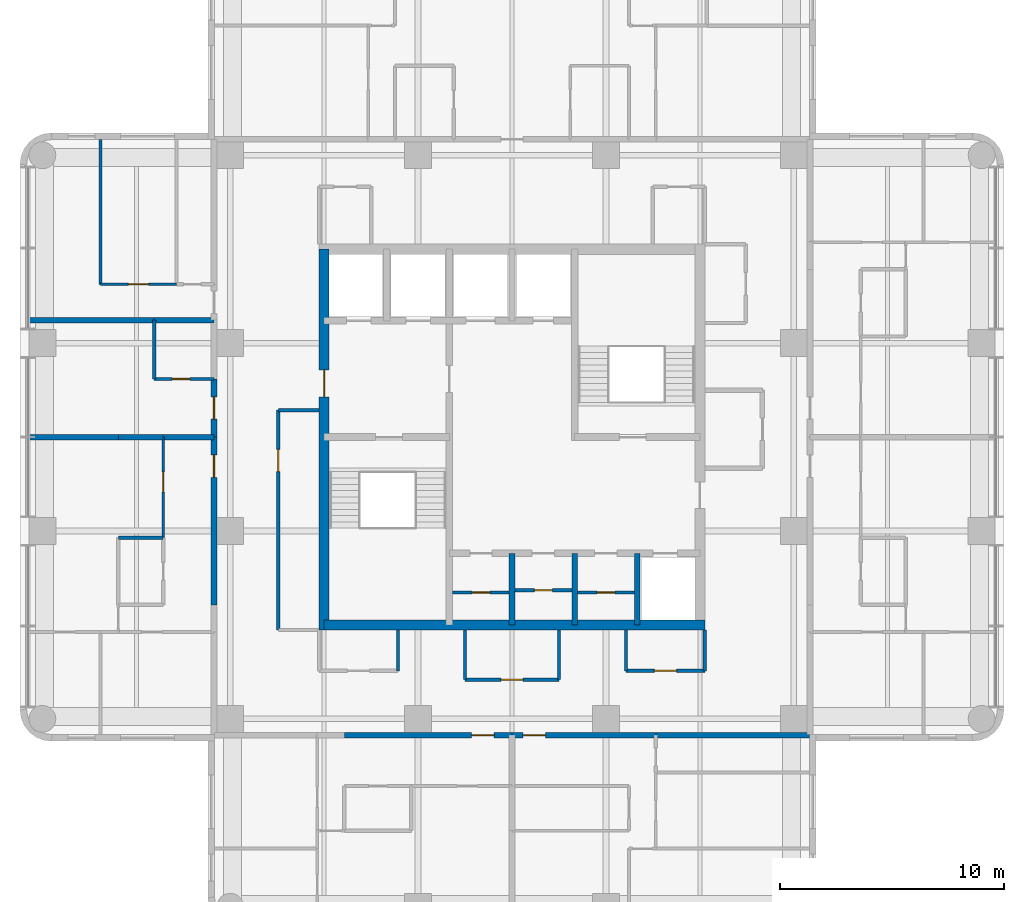
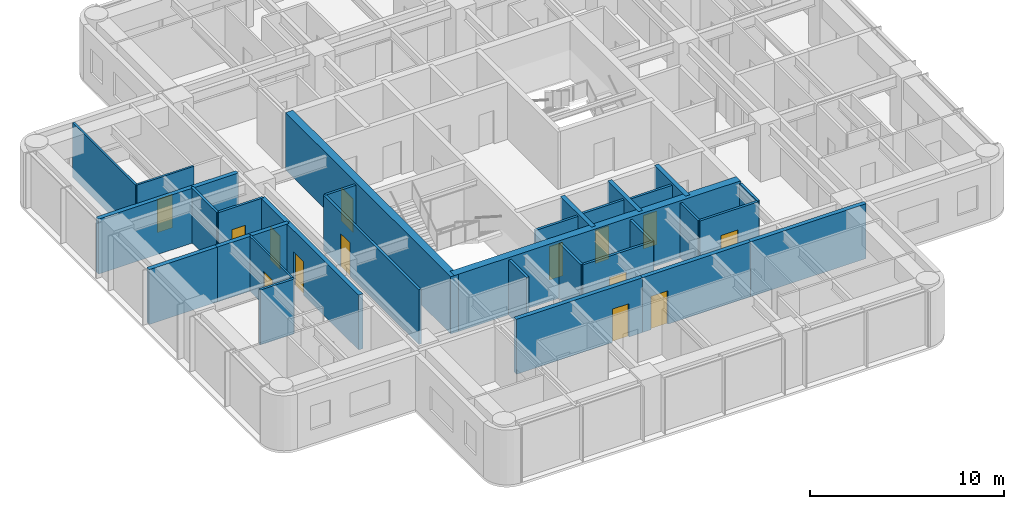
# One storey, part 5 of 10: 33 walls, 14 doors, 14 openings.
"""IFC4 building model written with IfcOpenShell, lengths in metres."""

from ifc_helpers import new_model, si_unit, direction, frame, frame_2d, origin, place, context, subcontext, project, spatial, rectangle, extrude, material, layer, layer_set, type_object, element, fill, save


model = new_model("IFC4")

# Units and contexts
model_context = context("Model", 3, precision=1e-05, world=origin(), true_north=direction((0.0, 1.0)))
body_context = subcontext(model_context, "Body", "Model", "MODEL_VIEW")
ifc_project = project(units=[si_unit("LENGTHUNIT", "METRE"), si_unit("AREAUNIT", "SQUARE_METRE"), si_unit("VOLUMEUNIT", "CUBIC_METRE"), si_unit("PLANEANGLEUNIT", "RADIAN"), si_unit("MASSUNIT", "GRAM", prefix="KILO")], contexts=[model_context])

# Site, building, storey
site_placement = place(None, origin())
site = spatial("IfcSite", under=ifc_project, at=site_placement, CompositionType="ELEMENT")
building_placement = place(site_placement, origin())
building = spatial("IfcBuilding", under=site, at=building_placement, Name="Torre Alcanfor", CompositionType="ELEMENT")
storey_placement = place(building_placement, frame((0.0, 0.0, 290.10009765625)))
storey = spatial("IfcBuildingStorey", under=building, at=storey_placement, Name="L76", CompositionType="ELEMENT", Elevation=290.10009765625)

# Wall, opening, door
ifc_material_1 = material(Name="Concrete block masonry, hollow blocks NMX-C-404 9 MPa", Category="masonry")
ifc_layer_1 = layer(ifc_material_1, 0.25)
ifc_layer_set_1 = layer_set([ifc_layer_1], Name="Apartment entrance wall 250 EI 60")
wall_type_1 = type_object("IfcWallType", Name="Apartment entrance wall 250 EI 60", PredefinedType="PARTITIONING", material=ifc_layer_set_1)
wall_1_placement = place(storey_placement, frame((35.8291015625, 16.074951171875, 0.0), z_axis=(0.0, 0.0, 1.0), x_axis=(-1.0, 0.0, 0.0)))
wall_1 = element("IfcWall", 1, at=wall_1_placement, inside=storey, type_object=wall_type_1, Name="Partition L76-CORR / L76-S1-LIVING", PredefinedType="PARTITIONING", context=body_context, shape_type="SweptSolid", body=[
    extrude(rectangle(XDim=6.42919921875, YDim=0.25, at=frame_2d((3.214599609375, 0.0))), origin(), (0.0, 0.0, 1.0), 3.449951171875),
])
opening_1_placement = place(wall_1_placement, frame((4.928955078125, 0.0, 0.0)))
opening_1 = element("IfcOpeningElement", 2, at=opening_1_placement, cuts=wall_1, Name="Opening D-A1", PredefinedType="OPENING", context=body_context, shape_type="SweptSolid", body=[
    extrude(rectangle(XDim=1.0, YDim=2.10009765625, at=frame_2d((0.5, 1.050048828125))), frame((0.0, 0.135009765625, 0.0), z_axis=(0.0, -1.0, 0.0), x_axis=(1.0, 0.0, 0.0)), (0.0, 0.0, 1.0), 0.27001953125),
])
ifc_material_2 = material(Name="Galvanised steel sheet ASTM A653", Category="steel")
door_type_1 = type_object("IfcDoorType", Name="Apartment entrance door FD60 1000x2100", OperationType="SINGLE_SWING_LEFT", PredefinedType="DOOR", material=ifc_material_2)
door_1_placement = place(opening_1_placement, origin())
door_1 = element("IfcDoor", 3, at=door_1_placement, inside=storey, type_object=door_type_1, Name="Apartment entrance L76-S1", OperationType="SINGLE_SWING_RIGHT", OverallHeight=2.10009765625, OverallWidth=1.0, PredefinedType="DOOR", context=body_context, shape_type="SweptSolid", body=[
    extrude(rectangle(XDim=1.0, YDim=2.10009765625, at=frame_2d((0.5, 1.050048828125))), frame((0.0, 0.02490234375, 0.0), z_axis=(0.0, -1.0, 0.0), x_axis=(1.0, 0.0, 0.0)), (0.0, 0.0, 1.0), 0.050048828125),
])
fill(opening_1, door_1)

# Wall
wall_2_placement = place(storey_placement, frame((42.699951171875, 16.074951171875, 0.0), z_axis=(0.0, 0.0, 1.0), x_axis=(-1.0, 0.0, 0.0)))
element("IfcWall", 4, at=wall_2_placement, inside=storey, type_object=wall_type_1, Name="Partition L76-CORR / L76-S1-BATH", PredefinedType="PARTITIONING", context=body_context, shape_type="SweptSolid", body=[
    extrude(rectangle(XDim=6.870849609375, YDim=0.25, at=frame_2d((3.435546875, 0.0))), origin(), (0.0, 0.0, 1.0), 3.449951171875),
])

# Wall, opening, door
wall_3_placement = place(storey_placement, frame((29.39990234375, 16.074951171875, 0.0), z_axis=(0.0, 0.0, 1.0), x_axis=(-1.0, 0.0, 0.0)))
wall_3 = element("IfcWall", 5, at=wall_3_placement, inside=storey, type_object=wall_type_1, Name="Partition L76-CORR / L76-S2-ZAG", PredefinedType="PARTITIONING", context=body_context, shape_type="SweptSolid", body=[
    extrude(rectangle(XDim=7.5, YDim=0.25, at=frame_2d((3.75, 0.0))), origin(), (0.0, 0.0, 1.0), 3.449951171875),
])
opening_2_placement = place(wall_3_placement, frame((0.800048828125, 0.0, 0.0)))
opening_2 = element("IfcOpeningElement", 6, at=opening_2_placement, cuts=wall_3, Name="Opening D-A1", PredefinedType="OPENING", context=body_context, shape_type="SweptSolid", body=[
    extrude(rectangle(XDim=1.0, YDim=2.10009765625, at=frame_2d((0.5, 1.050048828125))), frame((0.0, 0.135009765625, 0.0), z_axis=(0.0, -1.0, 0.0), x_axis=(1.0, 0.0, 0.0)), (0.0, 0.0, 1.0), 0.27001953125),
])
door_2_placement = place(opening_2_placement, origin())
door_2 = element("IfcDoor", 7, at=door_2_placement, inside=storey, type_object=door_type_1, Name="Apartment entrance L76-S2", OperationType="SINGLE_SWING_LEFT", OverallHeight=2.10009765625, OverallWidth=1.0, PredefinedType="DOOR", context=body_context, shape_type="SweptSolid", body=[
    extrude(rectangle(XDim=1.0, YDim=2.10009765625, at=frame_2d((0.5, 1.050048828125))), frame((0.0, 0.02490234375, 0.0), z_axis=(0.0, -1.0, 0.0), x_axis=(1.0, 0.0, 0.0)), (0.0, 0.0, 1.0), 0.050048828125),
])
fill(opening_2, door_2)

wall_4_placement = place(storey_placement, frame((16.074951171875, 21.89990234375, 0.0), z_axis=(0.0, 0.0, 1.0), x_axis=(0.0, 1.0, 0.0)))
wall_4 = element("IfcWall", 8, at=wall_4_placement, inside=storey, type_object=wall_type_1, Name="Partition L76-CORR / L76-W1-ZAG", PredefinedType="PARTITIONING", context=body_context, shape_type="SweptSolid", body=[
    extrude(rectangle(XDim=7.5, YDim=0.25, at=frame_2d((3.75, 0.0))), origin(), (0.0, 0.0, 1.0), 3.449951171875),
])
opening_3_placement = place(wall_4_placement, frame((5.699951171875, 0.0, 0.0)))
opening_3 = element("IfcOpeningElement", 9, at=opening_3_placement, cuts=wall_4, Name="Opening D-A1", PredefinedType="OPENING", context=body_context, shape_type="SweptSolid", body=[
    extrude(rectangle(XDim=1.0, YDim=2.10009765625, at=frame_2d((0.5, 1.050048828125))), frame((0.0, 0.135009765625, 0.0), z_axis=(0.0, -1.0, 0.0), x_axis=(1.0, 0.0, 0.0)), (0.0, 0.0, 1.0), 0.27001953125),
])
door_3_placement = place(opening_3_placement, origin())
door_3 = element("IfcDoor", 10, at=door_3_placement, inside=storey, type_object=door_type_1, Name="Apartment entrance L76-W1", OperationType="SINGLE_SWING_RIGHT", OverallHeight=2.10009765625, OverallWidth=1.0, PredefinedType="DOOR", context=body_context, shape_type="SweptSolid", body=[
    extrude(rectangle(XDim=1.0, YDim=2.10009765625, at=frame_2d((0.5, 1.050048828125))), frame((0.0, 0.02490234375, 0.0), z_axis=(0.0, -1.0, 0.0), x_axis=(1.0, 0.0, 0.0)), (0.0, 0.0, 1.0), 0.050048828125),
])
fill(opening_3, door_3)

wall_5_placement = place(storey_placement, frame((16.074951171875, 29.39990234375, 0.0), z_axis=(0.0, 0.0, 1.0), x_axis=(0.0, 1.0, 0.0)))
wall_5 = element("IfcWall", 11, at=wall_5_placement, inside=storey, type_object=wall_type_1, Name="Partition L76-CORR / L76-W2A-STUDIO", PredefinedType="PARTITIONING", context=body_context, shape_type="SweptSolid", body=[
    extrude(rectangle(XDim=2.60009765625, YDim=0.25, at=frame_2d((1.300048828125, 0.0))), origin(), (0.0, 0.0, 1.0), 3.449951171875),
])
opening_4_placement = place(wall_5_placement, frame((0.800048828125, 0.0, 0.0)))
opening_4 = element("IfcOpeningElement", 12, at=opening_4_placement, cuts=wall_5, Name="Opening D-A1", PredefinedType="OPENING", context=body_context, shape_type="SweptSolid", body=[
    extrude(rectangle(XDim=1.0, YDim=2.10009765625, at=frame_2d((0.5, 1.050048828125))), frame((0.0, 0.135009765625, 0.0), z_axis=(0.0, -1.0, 0.0), x_axis=(1.0, 0.0, 0.0)), (0.0, 0.0, 1.0), 0.27001953125),
])
door_4_placement = place(opening_4_placement, origin())
door_4 = element("IfcDoor", 13, at=door_4_placement, inside=storey, type_object=door_type_1, Name="Apartment entrance L76-W2A", OperationType="SINGLE_SWING_LEFT", OverallHeight=2.10009765625, OverallWidth=1.0, PredefinedType="DOOR", context=body_context, shape_type="SweptSolid", body=[
    extrude(rectangle(XDim=1.0, YDim=2.10009765625, at=frame_2d((0.5, 1.050048828125))), frame((0.0, 0.02490234375, 0.0), z_axis=(0.0, -1.0, 0.0), x_axis=(1.0, 0.0, 0.0)), (0.0, 0.0, 1.0), 0.050048828125),
])
fill(opening_4, door_4)

ifc_material_3 = material(Name="Gypsum board on steel studs", Category="steel")
ifc_layer_2 = layer(ifc_material_3, 0.1201171875)
ifc_layer_set_2 = layer_set([ifc_layer_2], Name="Apartment partition 120")
wall_type_2 = type_object("IfcWallType", Name="Apartment partition 120", PredefinedType="PARTITIONING", material=ifc_layer_set_2)
wall_6_placement = place(storey_placement, frame((13.800048828125, 29.39990234375, 0.0), z_axis=(0.0, 0.0, 1.0), x_axis=(0.0, -1.0, 0.0)))
wall_6 = element("IfcWall", 14, at=wall_6_placement, inside=storey, type_object=wall_type_2, Name="Partition L76-W1-ZAG / L76-W1-KITCHEN", PredefinedType="PARTITIONING", context=body_context, shape_type="SweptSolid", body=[
    extrude(rectangle(XDim=4.5, YDim=0.1201171875, at=frame_2d((2.25, 0.0))), origin(), (0.0, 0.0, 1.0), 3.449951171875),
])
opening_5_placement = place(wall_6_placement, frame((1.550048828125, 0.0, 0.0)))
opening_5 = element("IfcOpeningElement", 15, at=opening_5_placement, cuts=wall_6, Name="Opening D-R1", PredefinedType="OPENING", context=body_context, shape_type="SweptSolid", body=[
    extrude(rectangle(XDim=0.89990234375, YDim=2.10009765625, at=frame_2d((0.449951171875, 1.050048828125))), frame((0.0, 0.070068359375, 0.0), z_axis=(0.0, -1.0, 0.0), x_axis=(1.0, 0.0, 0.0)), (0.0, 0.0, 1.0), 0.14013671875),
])
ifc_material_4 = material(Name="Timber", Category="wood")
door_type_2 = type_object("IfcDoorType", Name="Internal door 900x2100", OperationType="SINGLE_SWING_LEFT", PredefinedType="DOOR", material=ifc_material_4)
door_5_placement = place(opening_5_placement, frame((0.89990234375, 0.0, 0.0), z_axis=(0.0, 0.0, 1.0), x_axis=(-1.0, 0.0, 0.0)))
door_5 = element("IfcDoor", 16, at=door_5_placement, inside=storey, type_object=door_type_2, Name="Door L76-W1 kitchen", OperationType="SINGLE_SWING_RIGHT", OverallHeight=2.10009765625, OverallWidth=0.89990234375, PredefinedType="DOOR", context=body_context, shape_type="SweptSolid", body=[
    extrude(rectangle(XDim=0.89990234375, YDim=2.10009765625, at=frame_2d((0.449951171875, 1.050048828125))), frame((0.0, 0.025146484375, 0.0), z_axis=(0.0, -1.0, 0.0), x_axis=(1.0, 0.0, 0.0)), (0.0, 0.0, 1.0), 0.050048828125),
])
fill(opening_5, door_5)

# Wall
wall_7_placement = place(storey_placement, frame((11.0, 42.699951171875, 0.0), z_axis=(0.0, 0.0, 1.0), x_axis=(0.0, -1.0, 0.0)))
element("IfcWall", 17, at=wall_7_placement, inside=storey, type_object=wall_type_2, Name="Partition L76-W2B-LIVING / L76-W2B-MASTER", PredefinedType="PARTITIONING", context=body_context, shape_type="SweptSolid", body=[
    extrude(rectangle(XDim=6.470947265625, YDim=0.1201171875, at=frame_2d((3.2353515625, 0.0))), origin(), (0.0, 0.0, 1.0), 3.449951171875),
])

# Wall, opening, door
wall_8_placement = place(storey_placement, frame((11.0, 36.22900390625, 0.0), z_axis=(0.0, 0.0, 1.0), x_axis=(1.0, 0.0, 0.0)))
wall_8 = element("IfcWall", 18, at=wall_8_placement, inside=storey, type_object=wall_type_2, Name="Partition L76-W2B-LIVING / L76-W2B-MASTER", PredefinedType="PARTITIONING", context=body_context, shape_type="SweptSolid", body=[
    extrude(rectangle(XDim=3.39990234375, YDim=0.1201171875, at=frame_2d((1.699951171875, 0.0))), origin(), (0.0, 0.0, 1.0), 3.449951171875),
])
opening_6_placement = place(wall_8_placement, frame((1.25, 0.0, 0.0)))
opening_6 = element("IfcOpeningElement", 19, at=opening_6_placement, cuts=wall_8, Name="Opening D-R1", PredefinedType="OPENING", context=body_context, shape_type="SweptSolid", body=[
    extrude(rectangle(XDim=0.89990234375, YDim=2.10009765625, at=frame_2d((0.449951171875, 1.050048828125))), frame((0.0, 0.070068359375, 0.0), z_axis=(0.0, -1.0, 0.0), x_axis=(1.0, 0.0, 0.0)), (0.0, 0.0, 1.0), 0.14013671875),
])
door_6_placement = place(opening_6_placement, origin())
door_6 = element("IfcDoor", 20, at=door_6_placement, inside=storey, type_object=door_type_2, Name="Door L76-W2B master", OperationType="SINGLE_SWING_LEFT", OverallHeight=2.10009765625, OverallWidth=0.89990234375, PredefinedType="DOOR", context=body_context, shape_type="SweptSolid", body=[
    extrude(rectangle(XDim=0.89990234375, YDim=2.10009765625, at=frame_2d((0.449951171875, 1.050048828125))), frame((0.0, 0.02490234375, 0.0), z_axis=(0.0, -1.0, 0.0), x_axis=(1.0, 0.0, 0.0)), (0.0, 0.0, 1.0), 0.050048828125),
])
fill(opening_6, door_6)

# Walls
ifc_material_5 = material(Name="Concrete f'c 70 MPa", Category="concrete")
ifc_layer_3 = layer(ifc_material_5, 0.25)
ifc_layer_set_3 = layer_set([ifc_layer_3], Name="Core shaft wall 250 f'c70")
wall_type_3 = type_object("IfcWallType", Name="Core shaft wall 250 f'c70", PredefinedType="SHEAR", material=ifc_layer_set_3)
for number, where, z_axis, x_axis, name in (
    (21, (29.39990234375, 21.0, 0.0), (0.0, 0.0, 1.0), (0.0, 1.0, 0.0), "Core wall X294S L76"),
    (22, (32.199951171875, 21.0, 0.0), (0.0, 0.0, 1.0), (0.0, 1.0, 0.0), "Core wall X322S L76"),
    (23, (35.0, 21.0, 0.0), (0.0, 0.0, 1.0), (0.0, 1.0, 0.0), "Core wall X350S L76"),
):
    element("IfcWall", number, at=place(storey_placement, frame(where, z_axis=z_axis, x_axis=x_axis)), inside=storey, type_object=wall_type_3, Name=name, PredefinedType="SHEAR", context=body_context, shape_type="SweptSolid", body=[
        extrude(rectangle(XDim=3.199951171875, YDim=0.25, at=frame_2d((1.60009765625, 0.0))), origin(), (0.0, 0.0, 1.0), 3.599853515625),
    ])
ifc_material_6 = material(Name="Concrete f'c 70 MPa", Category="concrete")
ifc_layer_4 = layer(ifc_material_6, 0.449951171875)
ifc_layer_set_4 = layer_set([ifc_layer_4], Name="Core wall 450 f'c70")
wall_type_4 = type_object("IfcWallType", Name="Core wall 450 f'c70", PredefinedType="SHEAR", material=ifc_layer_set_4)
wall_9_placement = place(storey_placement, frame((21.0, 21.0, 0.0), z_axis=(0.0, 0.0, 1.0), x_axis=(1.0, 0.0, 0.0)))
element("IfcWall", 24, at=wall_9_placement, inside=storey, type_object=wall_type_4, Name="Core wall OUT-S L76", PredefinedType="SHEAR", context=body_context, shape_type="SweptSolid", body=[
    extrude(rectangle(XDim=17.02490234375, YDim=0.449951171875, at=frame_2d((8.512451171875, 0.0))), origin(), (0.0, 0.0, 1.0), 3.599853515625),
])

# Wall, opening, door
wall_10_placement = place(storey_placement, frame((21.0, 37.800048828125, 0.0), z_axis=(0.0, 0.0, 1.0), x_axis=(0.0, -1.0, 0.0)))
wall_10 = element("IfcWall", 25, at=wall_10_placement, inside=storey, type_object=wall_type_4, Name="Core wall OUT-W L76", PredefinedType="SHEAR", context=body_context, shape_type="SweptSolid", body=[
    extrude(rectangle(XDim=17.025146484375, YDim=0.449951171875, at=frame_2d((8.5126953125, 0.0))), origin(), (0.0, 0.0, 1.0), 3.599853515625),
])
opening_7_placement = place(wall_10_placement, frame((5.39990234375, 0.0, 0.0)))
opening_7 = element("IfcOpeningElement", 26, at=opening_7_placement, cuts=wall_10, Name="Opening D-L1", PredefinedType="OPENING", context=body_context, shape_type="SweptSolid", body=[
    extrude(rectangle(XDim=1.199951171875, YDim=2.10009765625, at=frame_2d((0.60009765625, 1.050048828125))), frame((0.0, 0.23486328125, 0.0), z_axis=(0.0, -1.0, 0.0), x_axis=(1.0, 0.0, 0.0)), (0.0, 0.0, 1.0), 0.469970703125),
])
ifc_material_7 = material(Name="Galvanised steel sheet ASTM A653", Category="steel")
door_type_3 = type_object("IfcDoorType", Name="Lobby door FD120 1200x2100", OperationType="SINGLE_SWING_LEFT", PredefinedType="DOOR", material=ifc_material_7)
door_7_placement = place(opening_7_placement, origin())
door_7 = element("IfcDoor", 27, at=door_7_placement, inside=storey, type_object=door_type_3, Name="Firefighting lobby door L76", OperationType="SINGLE_SWING_RIGHT", OverallHeight=2.10009765625, OverallWidth=1.199951171875, PredefinedType="DOOR", context=body_context, shape_type="SweptSolid", body=[
    extrude(rectangle(XDim=1.199951171875, YDim=2.10009765625, at=frame_2d((0.60009765625, 1.050048828125))), frame((0.0, 0.02490234375, 0.0), z_axis=(0.0, -1.0, 0.0), x_axis=(1.0, 0.0, 0.0)), (0.0, 0.0, 1.0), 0.050048828125),
])
fill(opening_7, door_7)

# Walls
ifc_material_8 = material(Name="Concrete block masonry, hollow blocks NMX-C-404 9 MPa", Category="masonry")
ifc_layer_5 = layer(ifc_material_8, 0.25)
ifc_layer_set_5 = layer_set([ifc_layer_5], Name="Party wall 250 EI 60")
wall_type_5 = type_object("IfcWallType", Name="Party wall 250 EI 60", PredefinedType="PARTITIONING", material=ifc_layer_set_5)
wall_11_placement = place(storey_placement, frame((16.074951171875, 29.39990234375, 0.0), z_axis=(0.0, 0.0, 1.0), x_axis=(-1.0, 0.0, 0.0)))
element("IfcWall", 28, at=wall_11_placement, inside=storey, type_object=wall_type_5, Name="Partition L76-W1-ZAG / L76-W2A-STUDIO", PredefinedType="PARTITIONING", context=body_context, shape_type="SweptSolid", body=[
    extrude(rectangle(XDim=2.27490234375, YDim=0.25, at=frame_2d((1.137451171875, 0.0))), origin(), (0.0, 0.0, 1.0), 3.449951171875),
])
wall_12_placement = place(storey_placement, frame((13.800048828125, 29.39990234375, 0.0), z_axis=(0.0, 0.0, 1.0), x_axis=(-1.0, 0.0, 0.0)))
element("IfcWall", 29, at=wall_12_placement, inside=storey, type_object=wall_type_5, Name="Partition L76-W1-KITCHEN / L76-W2A-STUDIO", PredefinedType="PARTITIONING", context=body_context, shape_type="SweptSolid", body=[
    extrude(rectangle(XDim=2.0, YDim=0.25, at=frame_2d((1.0, 0.0))), origin(), (0.0, 0.0, 1.0), 3.449951171875),
])
wall_13_placement = place(storey_placement, frame((11.800048828125, 29.39990234375, 0.0), z_axis=(0.0, 0.0, 1.0), x_axis=(-1.0, 0.0, 0.0)))
element("IfcWall", 30, at=wall_13_placement, inside=storey, type_object=wall_type_5, Name="Partition L76-W1-LIVING / L76-W2A-STUDIO", PredefinedType="PARTITIONING", context=body_context, shape_type="SweptSolid", body=[
    extrude(rectangle(XDim=4.050048828125, YDim=0.25, at=frame_2d((2.02490234375, 0.0))), origin(), (0.0, 0.0, 1.0), 3.449951171875),
])
wall_14_placement = place(storey_placement, frame((7.75, 34.62890625, 0.0), z_axis=(0.0, 0.0, 1.0), x_axis=(1.0, 0.0, 0.0)))
element("IfcWall", 31, at=wall_14_placement, inside=storey, type_object=wall_type_5, Name="Partition L76-W2A-STUDIO / L76-W2B-LIVING", PredefinedType="PARTITIONING", context=body_context, shape_type="SweptSolid", body=[
    extrude(rectangle(XDim=5.64990234375, YDim=0.25, at=frame_2d((2.824951171875, 0.0))), origin(), (0.0, 0.0, 1.0), 3.449951171875),
])
wall_15_placement = place(storey_placement, frame((13.39990234375, 34.62890625, 0.0), z_axis=(0.0, 0.0, 1.0), x_axis=(1.0, 0.0, 0.0)))
element("IfcWall", 32, at=wall_15_placement, inside=storey, type_object=wall_type_5, Name="Partition L76-W2A-BATH / L76-W2B-LIVING", PredefinedType="PARTITIONING", context=body_context, shape_type="SweptSolid", body=[
    extrude(rectangle(XDim=2.675048828125, YDim=0.25, at=frame_2d((1.33740234375, 0.0))), origin(), (0.0, 0.0, 1.0), 3.449951171875),
])
ifc_material_9 = material(Name="Concrete block masonry, hollow blocks NMX-C-404 9 MPa", Category="masonry")
ifc_layer_6 = layer(ifc_material_9, 0.14990234375)
ifc_layer_set_6 = layer_set([ifc_layer_6], Name="Residents' room partition 150")
wall_type_6 = type_object("IfcWallType", Name="Residents' room partition 150", PredefinedType="PARTITIONING", material=ifc_layer_set_6)
wall_16_placement = place(storey_placement, frame((24.300048828125, 18.949951171875, 0.0), z_axis=(0.0, 0.0, 1.0), x_axis=(0.0, 1.0, 0.0)))
element("IfcWall", 33, at=wall_16_placement, inside=storey, type_object=wall_type_6, Name="Partition L76-CORR / L76-G05", PredefinedType="PARTITIONING", context=body_context, shape_type="SweptSolid", body=[
    extrude(rectangle(XDim=1.824951171875, YDim=0.14990234375, at=frame_2d((0.91259765625, 0.0))), origin(), (0.0, 0.0, 1.0), 3.449951171875),
])
wall_17_placement = place(storey_placement, frame((27.300048828125, 20.77490234375, 0.0), z_axis=(0.0, 0.0, 1.0), x_axis=(0.0, -1.0, 0.0)))
element("IfcWall", 34, at=wall_17_placement, inside=storey, type_object=wall_type_6, Name="Partition L76-CORR / L76-G06", PredefinedType="PARTITIONING", context=body_context, shape_type="SweptSolid", body=[
    extrude(rectangle(XDim=2.224853515625, YDim=0.14990234375, at=frame_2d((1.1123046875, 0.0))), origin(), (0.0, 0.0, 1.0), 3.449951171875),
])

# Wall, opening, door
wall_18_placement = place(storey_placement, frame((27.300048828125, 18.550048828125, 0.0), z_axis=(0.0, 0.0, 1.0), x_axis=(1.0, 0.0, 0.0)))
wall_18 = element("IfcWall", 35, at=wall_18_placement, inside=storey, type_object=wall_type_6, Name="Partition L76-CORR / L76-G06", PredefinedType="PARTITIONING", context=body_context, shape_type="SweptSolid", body=[
    extrude(rectangle(XDim=4.199951171875, YDim=0.14990234375, at=frame_2d((2.10009765625, 0.0))), origin(), (0.0, 0.0, 1.0), 3.449951171875),
])
opening_8_placement = place(wall_18_placement, frame((1.60009765625, 0.0, 0.0)))
opening_8 = element("IfcOpeningElement", 36, at=opening_8_placement, cuts=wall_18, Name="Opening D-M1", PredefinedType="OPENING", context=body_context, shape_type="SweptSolid", body=[
    extrude(rectangle(XDim=1.0, YDim=2.10009765625, at=frame_2d((0.5, 1.050048828125))), frame((0.0, 0.0849609375, 0.0), z_axis=(0.0, -1.0, 0.0), x_axis=(1.0, 0.0, 0.0)), (0.0, 0.0, 1.0), 0.169921875),
])
ifc_material_10 = material(Name="Timber", Category="wood")
door_type_4 = type_object("IfcDoorType", Name="Residents' room door 1000x2100", OperationType="SINGLE_SWING_LEFT", PredefinedType="DOOR", material=ifc_material_10)
door_8_placement = place(opening_8_placement, origin())
door_8 = element("IfcDoor", 37, at=door_8_placement, inside=storey, type_object=door_type_4, Name="Door L76-G06 linen store", OperationType="SINGLE_SWING_LEFT", OverallHeight=2.10009765625, OverallWidth=1.0, PredefinedType="DOOR", context=body_context, shape_type="SweptSolid", body=[
    extrude(rectangle(XDim=1.0, YDim=2.10009765625, at=frame_2d((0.5, 1.050048828125))), frame((0.0, 0.02490234375, 0.0), z_axis=(0.0, -1.0, 0.0), x_axis=(1.0, 0.0, 0.0)), (0.0, 0.0, 1.0), 0.050048828125),
])
fill(opening_8, door_8)

# Walls
wall_19_placement = place(storey_placement, frame((31.5, 18.550048828125, 0.0), z_axis=(0.0, 0.0, 1.0), x_axis=(0.0, 1.0, 0.0)))
element("IfcWall", 38, at=wall_19_placement, inside=storey, type_object=wall_type_6, Name="Partition L76-CORR / L76-G06", PredefinedType="PARTITIONING", context=body_context, shape_type="SweptSolid", body=[
    extrude(rectangle(XDim=2.224853515625, YDim=0.14990234375, at=frame_2d((1.1123046875, 0.0))), origin(), (0.0, 0.0, 1.0), 3.449951171875),
])
wall_20_placement = place(storey_placement, frame((34.5, 20.77490234375, 0.0), z_axis=(0.0, 0.0, 1.0), x_axis=(0.0, -1.0, 0.0)))
element("IfcWall", 39, at=wall_20_placement, inside=storey, type_object=wall_type_6, Name="Partition L76-CORR / L76-G07", PredefinedType="PARTITIONING", context=body_context, shape_type="SweptSolid", body=[
    extrude(rectangle(XDim=1.824951171875, YDim=0.14990234375, at=frame_2d((0.91259765625, 0.0))), origin(), (0.0, 0.0, 1.0), 3.449951171875),
])

# Wall, opening, door
wall_21_placement = place(storey_placement, frame((34.5, 18.949951171875, 0.0), z_axis=(0.0, 0.0, 1.0), x_axis=(1.0, 0.0, 0.0)))
wall_21 = element("IfcWall", 40, at=wall_21_placement, inside=storey, type_object=wall_type_6, Name="Partition L76-CORR / L76-G07", PredefinedType="PARTITIONING", context=body_context, shape_type="SweptSolid", body=[
    extrude(rectangle(XDim=3.52490234375, YDim=0.14990234375, at=frame_2d((1.762451171875, 0.0))), origin(), (0.0, 0.0, 1.0), 3.449951171875),
])
opening_9_placement = place(wall_21_placement, frame((1.262451171875, 0.0, 0.0)))
opening_9 = element("IfcOpeningElement", 41, at=opening_9_placement, cuts=wall_21, Name="Opening D-M1", PredefinedType="OPENING", context=body_context, shape_type="SweptSolid", body=[
    extrude(rectangle(XDim=1.0, YDim=2.10009765625, at=frame_2d((0.5, 1.050048828125))), frame((0.0, 0.0849609375, 0.0), z_axis=(0.0, -1.0, 0.0), x_axis=(1.0, 0.0, 0.0)), (0.0, 0.0, 1.0), 0.169921875),
])
door_9_placement = place(opening_9_placement, origin())
door_9 = element("IfcDoor", 42, at=door_9_placement, inside=storey, type_object=door_type_4, Name="Door L76-G07 residents' lockers", OperationType="SINGLE_SWING_LEFT", OverallHeight=2.10009765625, OverallWidth=1.0, PredefinedType="DOOR", context=body_context, shape_type="SweptSolid", body=[
    extrude(rectangle(XDim=1.0, YDim=2.10009765625, at=frame_2d((0.5, 1.050048828125))), frame((0.0, 0.02490234375, 0.0), z_axis=(0.0, -1.0, 0.0), x_axis=(1.0, 0.0, 0.0)), (0.0, 0.0, 1.0), 0.050048828125),
])
fill(opening_9, door_9)

# Walls
for number, where, z_axis, x_axis, name in (
    (43, (38.02490234375, 18.949951171875, 0.0), (0.0, 0.0, 1.0), (0.0, 1.0, 0.0), "Partition L76-CORR / L76-G07"),
    (44, (20.77490234375, 30.60009765625, 0.0), (0.0, 0.0, 1.0), (-1.0, 0.0, 0.0), "Partition L76-CORR / L76-G08"),
):
    element("IfcWall", number, at=place(storey_placement, frame(where, z_axis=z_axis, x_axis=x_axis)), inside=storey, type_object=wall_type_6, Name=name, PredefinedType="PARTITIONING", context=body_context, shape_type="SweptSolid", body=[
        extrude(rectangle(XDim=1.824951171875, YDim=0.14990234375, at=frame_2d((0.91259765625, 0.0))), origin(), (0.0, 0.0, 1.0), 3.449951171875),
    ])

# Wall, opening, door
wall_22_placement = place(storey_placement, frame((18.949951171875, 30.60009765625, 0.0), z_axis=(0.0, 0.0, 1.0), x_axis=(0.0, -1.0, 0.0)))
wall_22 = element("IfcWall", 45, at=wall_22_placement, inside=storey, type_object=wall_type_6, Name="Partition L76-CORR / L76-G08", PredefinedType="PARTITIONING", context=body_context, shape_type="SweptSolid", body=[
    extrude(rectangle(XDim=9.8251953125, YDim=0.14990234375, at=frame_2d((4.91259765625, 0.0))), origin(), (0.0, 0.0, 1.0), 3.449951171875),
])
opening_10_placement = place(wall_22_placement, frame((1.75, 0.0, 0.0)))
opening_10 = element("IfcOpeningElement", 46, at=opening_10_placement, cuts=wall_22, Name="Opening D-M1", PredefinedType="OPENING", context=body_context, shape_type="SweptSolid", body=[
    extrude(rectangle(XDim=1.0, YDim=2.10009765625, at=frame_2d((0.5, 1.050048828125))), frame((0.0, 0.0849609375, 0.0), z_axis=(0.0, -1.0, 0.0), x_axis=(1.0, 0.0, 0.0)), (0.0, 0.0, 1.0), 0.169921875),
])
door_10_placement = place(opening_10_placement, origin())
door_10 = element("IfcDoor", 47, at=door_10_placement, inside=storey, type_object=door_type_4, Name="Door L76-G08 residents' lockers", OperationType="SINGLE_SWING_LEFT", OverallHeight=2.10009765625, OverallWidth=1.0, PredefinedType="DOOR", context=body_context, shape_type="SweptSolid", body=[
    extrude(rectangle(XDim=1.0, YDim=2.10009765625, at=frame_2d((0.5, 1.050048828125))), frame((0.0, 0.02490234375, 0.0), z_axis=(0.0, -1.0, 0.0), x_axis=(1.0, 0.0, 0.0)), (0.0, 0.0, 1.0), 0.050048828125),
])
fill(opening_10, door_10)

wall_23_placement = place(storey_placement, frame((26.75, 22.449951171875, 0.0), z_axis=(0.0, 0.0, 1.0), x_axis=(1.0, 0.0, 0.0)))
wall_23 = element("IfcWall", 48, at=wall_23_placement, inside=storey, type_object=wall_type_6, Name="Partition L76-PA1R / L76-PA1C", PredefinedType="PARTITIONING", context=body_context, shape_type="SweptSolid", body=[
    extrude(rectangle(XDim=2.52490234375, YDim=0.14990234375, at=frame_2d((1.262451171875, 0.0))), origin(), (0.0, 0.0, 1.0), 3.449951171875),
])
opening_11_placement = place(wall_23_placement, frame((0.862548828125, 0.0, 0.0)))
opening_11 = element("IfcOpeningElement", 49, at=opening_11_placement, cuts=wall_23, Name="Opening D-R2", PredefinedType="OPENING", context=body_context, shape_type="SweptSolid", body=[
    extrude(rectangle(XDim=0.800048828125, YDim=2.10009765625, at=frame_2d((0.39990234375, 1.050048828125))), frame((0.0, 0.0849609375, 0.0), z_axis=(0.0, -1.0, 0.0), x_axis=(1.0, 0.0, 0.0)), (0.0, 0.0, 1.0), 0.169921875),
])
ifc_material_11 = material(Name="Timber", Category="wood")
door_type_5 = type_object("IfcDoorType", Name="Bathroom door 800x2100", OperationType="SINGLE_SWING_LEFT", PredefinedType="DOOR", material=ifc_material_11)
door_11_placement = place(opening_11_placement, frame((0.800048828125, 0.0, 0.0), z_axis=(0.0, 0.0, 1.0), x_axis=(-1.0, 0.0, 0.0)))
door_11 = element("IfcDoor", 50, at=door_11_placement, inside=storey, type_object=door_type_5, Name="Linen cupboard door L76", OperationType="SINGLE_SWING_RIGHT", OverallHeight=2.10009765625, OverallWidth=0.800048828125, PredefinedType="DOOR", context=body_context, shape_type="SweptSolid", body=[
    extrude(rectangle(XDim=0.800048828125, YDim=2.10009765625, at=frame_2d((0.400146484375, 1.050048828125))), frame((0.0, 0.025146484375, 0.0), z_axis=(0.0, -1.0, 0.0), x_axis=(1.0, 0.0, 0.0)), (0.0, 0.0, 1.0), 0.050048828125),
])
fill(opening_11, door_11)

wall_24_placement = place(storey_placement, frame((29.52490234375, 22.550048828125, 0.0), z_axis=(0.0, 0.0, 1.0), x_axis=(1.0, 0.0, 0.0)))
wall_24 = element("IfcWall", 51, at=wall_24_placement, inside=storey, type_object=wall_type_6, Name="Partition L76-PA2R / L76-PA2C", PredefinedType="PARTITIONING", context=body_context, shape_type="SweptSolid", body=[
    extrude(rectangle(XDim=2.550048828125, YDim=0.14990234375, at=frame_2d((1.27490234375, 0.0))), origin(), (0.0, 0.0, 1.0), 3.449951171875),
])
opening_12_placement = place(wall_24_placement, frame((0.875, 0.0, 0.0)))
opening_12 = element("IfcOpeningElement", 52, at=opening_12_placement, cuts=wall_24, Name="Opening D-R2", PredefinedType="OPENING", context=body_context, shape_type="SweptSolid", body=[
    extrude(rectangle(XDim=0.800048828125, YDim=2.10009765625, at=frame_2d((0.39990234375, 1.050048828125))), frame((0.0, 0.0849609375, 0.0), z_axis=(0.0, -1.0, 0.0), x_axis=(1.0, 0.0, 0.0)), (0.0, 0.0, 1.0), 0.169921875),
])
door_12_placement = place(opening_12_placement, frame((0.800048828125, 0.0, 0.0), z_axis=(0.0, 0.0, 1.0), x_axis=(-1.0, 0.0, 0.0)))
door_12 = element("IfcDoor", 53, at=door_12_placement, inside=storey, type_object=door_type_5, Name="Cleaners' cupboard door L76", OperationType="SINGLE_SWING_RIGHT", OverallHeight=2.10009765625, OverallWidth=0.800048828125, PredefinedType="DOOR", context=body_context, shape_type="SweptSolid", body=[
    extrude(rectangle(XDim=0.800048828125, YDim=2.10009765625, at=frame_2d((0.400146484375, 1.050048828125))), frame((0.0, 0.025146484375, 0.0), z_axis=(0.0, -1.0, 0.0), x_axis=(1.0, 0.0, 0.0)), (0.0, 0.0, 1.0), 0.050048828125),
])
fill(opening_12, door_12)

wall_25_placement = place(storey_placement, frame((32.324951171875, 22.449951171875, 0.0), z_axis=(0.0, 0.0, 1.0), x_axis=(1.0, 0.0, 0.0)))
wall_25 = element("IfcWall", 54, at=wall_25_placement, inside=storey, type_object=wall_type_6, Name="Partition L76-PA3R / L76-PA3C", PredefinedType="PARTITIONING", context=body_context, shape_type="SweptSolid", body=[
    extrude(rectangle(XDim=2.550048828125, YDim=0.14990234375, at=frame_2d((1.27490234375, 0.0))), origin(), (0.0, 0.0, 1.0), 3.449951171875),
])
opening_13_placement = place(wall_25_placement, frame((0.875, 0.0, 0.0)))
opening_13 = element("IfcOpeningElement", 55, at=opening_13_placement, cuts=wall_25, Name="Opening D-R2", PredefinedType="OPENING", context=body_context, shape_type="SweptSolid", body=[
    extrude(rectangle(XDim=0.800048828125, YDim=2.10009765625, at=frame_2d((0.39990234375, 1.050048828125))), frame((0.0, 0.0849609375, 0.0), z_axis=(0.0, -1.0, 0.0), x_axis=(1.0, 0.0, 0.0)), (0.0, 0.0, 1.0), 0.169921875),
])
door_13_placement = place(opening_13_placement, frame((0.800048828125, 0.0, 0.0), z_axis=(0.0, 0.0, 1.0), x_axis=(-1.0, 0.0, 0.0)))
door_13 = element("IfcDoor", 56, at=door_13_placement, inside=storey, type_object=door_type_5, Name="Records cupboard door L76", OperationType="SINGLE_SWING_RIGHT", OverallHeight=2.10009765625, OverallWidth=0.800048828125, PredefinedType="DOOR", context=body_context, shape_type="SweptSolid", body=[
    extrude(rectangle(XDim=0.800048828125, YDim=2.10009765625, at=frame_2d((0.400146484375, 1.050048828125))), frame((0.0, 0.025146484375, 0.0), z_axis=(0.0, -1.0, 0.0), x_axis=(1.0, 0.0, 0.0)), (0.0, 0.0, 1.0), 0.050048828125),
])
fill(opening_13, door_13)

# Walls
ifc_material_12 = material(Name="Cement board on steel studs", Category="steel")
ifc_layer_7 = layer(ifc_material_12, 0.14990234375)
ifc_layer_set_7 = layer_set([ifc_layer_7], Name="Wet area partition 150")
wall_type_7 = type_object("IfcWallType", Name="Wet area partition 150", PredefinedType="PARTITIONING", material=ifc_layer_set_7)
wall_26_placement = place(storey_placement, frame((11.800048828125, 24.89990234375, 0.0), z_axis=(0.0, 0.0, 1.0), x_axis=(1.0, 0.0, 0.0)))
element("IfcWall", 57, at=wall_26_placement, inside=storey, type_object=wall_type_7, Name="Partition L76-W1-KITCHEN / L76-W1-BATH", PredefinedType="PARTITIONING", context=body_context, shape_type="SweptSolid", body=[
    extrude(rectangle(XDim=2.0, YDim=0.14990234375, at=frame_2d((1.0, 0.0))), origin(), (0.0, 0.0, 1.0), 3.449951171875),
])
wall_27_placement = place(storey_placement, frame((13.39990234375, 34.62890625, 0.0), z_axis=(0.0, 0.0, 1.0), x_axis=(0.0, -1.0, 0.0)))
element("IfcWall", 58, at=wall_27_placement, inside=storey, type_object=wall_type_7, Name="Partition L76-W2A-STUDIO / L76-W2A-BATH", PredefinedType="PARTITIONING", context=body_context, shape_type="SweptSolid", body=[
    extrude(rectangle(XDim=2.62890625, YDim=0.14990234375, at=frame_2d((1.314453125, 0.0))), origin(), (0.0, 0.0, 1.0), 3.449951171875),
])

# Wall, opening, door
wall_28_placement = place(storey_placement, frame((13.39990234375, 32.0, 0.0), z_axis=(0.0, 0.0, 1.0), x_axis=(1.0, 0.0, 0.0)))
wall_28 = element("IfcWall", 59, at=wall_28_placement, inside=storey, type_object=wall_type_7, Name="Partition L76-W2A-STUDIO / L76-W2A-BATH", PredefinedType="PARTITIONING", context=body_context, shape_type="SweptSolid", body=[
    extrude(rectangle(XDim=2.675048828125, YDim=0.14990234375, at=frame_2d((1.33740234375, 0.0))), origin(), (0.0, 0.0, 1.0), 3.449951171875),
])
opening_14_placement = place(wall_28_placement, frame((0.800048828125, 0.0, 0.0)))
opening_14 = element("IfcOpeningElement", 60, at=opening_14_placement, cuts=wall_28, Name="Opening D-R2", PredefinedType="OPENING", context=body_context, shape_type="SweptSolid", body=[
    extrude(rectangle(XDim=0.800048828125, YDim=2.10009765625, at=frame_2d((0.39990234375, 1.050048828125))), frame((0.0, 0.0849609375, 0.0), z_axis=(0.0, -1.0, 0.0), x_axis=(1.0, 0.0, 0.0)), (0.0, 0.0, 1.0), 0.169921875),
])
door_14_placement = place(opening_14_placement, origin())
door_14 = element("IfcDoor", 61, at=door_14_placement, inside=storey, type_object=door_type_5, Name="Door L76-W2A bath", OperationType="SINGLE_SWING_LEFT", OverallHeight=2.10009765625, OverallWidth=0.800048828125, PredefinedType="DOOR", context=body_context, shape_type="SweptSolid", body=[
    extrude(rectangle(XDim=0.800048828125, YDim=2.10009765625, at=frame_2d((0.39990234375, 1.050048828125))), frame((0.0, 0.02490234375, 0.0), z_axis=(0.0, -1.0, 0.0), x_axis=(1.0, 0.0, 0.0)), (0.0, 0.0, 1.0), 0.050048828125),
])
fill(opening_14, door_14)

save(model, "model.ifc")
